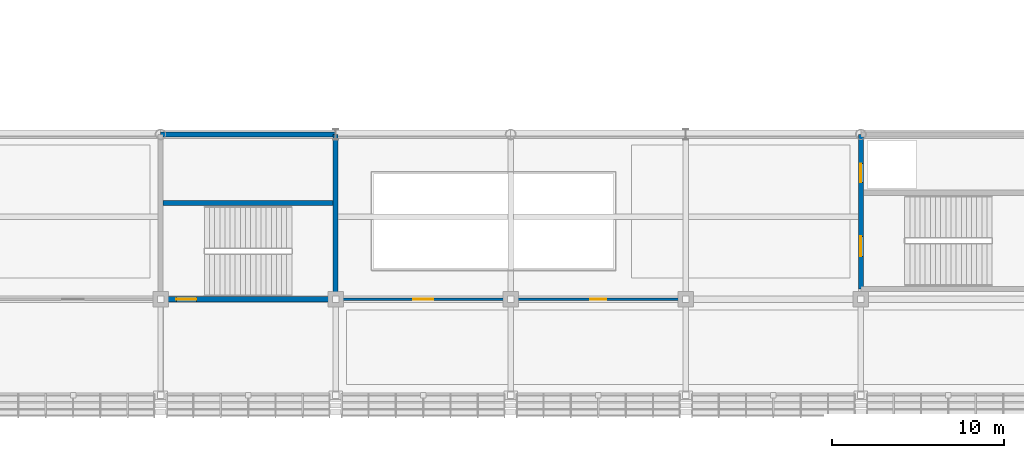
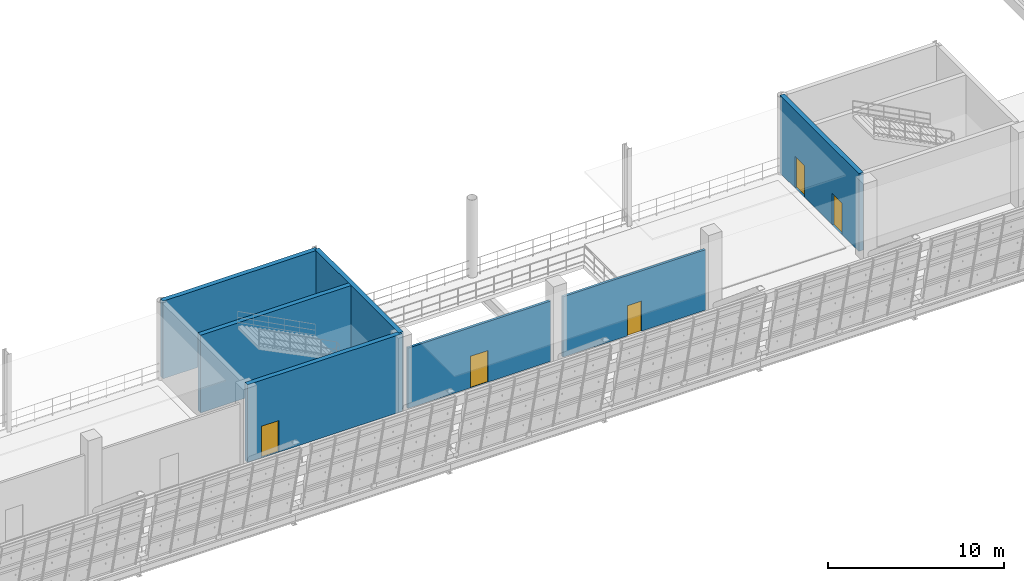
# One storey, part 129 of 175: 7 walls, 5 doors, 5 openings.
"""IFC4 building model written with IfcOpenShell, lengths in metres."""

from ifc_helpers import new_model, si_unit, direction, frame, frame_2d, origin, place, context, subcontext, project, spatial, rectangle, extrude, material, layer, layer_set, type_object, element, fill, save


model = new_model("IFC4")

# Units and contexts
model_context = context("Model", 3, precision=1e-05, world=origin(), true_north=direction((0.0, 1.0)))
body_context = subcontext(model_context, "Body", "Model", "MODEL_VIEW")
ifc_project = project(units=[si_unit("LENGTHUNIT", "METRE"), si_unit("AREAUNIT", "SQUARE_METRE"), si_unit("VOLUMEUNIT", "CUBIC_METRE"), si_unit("PLANEANGLEUNIT", "RADIAN"), si_unit("MASSUNIT", "GRAM", prefix="KILO")], contexts=[model_context])

# Site, building, storey
site_placement = place(None, origin())
site = spatial("IfcSite", under=ifc_project, at=site_placement, CompositionType="ELEMENT")
building_placement = place(site_placement, origin())
building = spatial("IfcBuilding", under=site, at=building_placement, Name="Brelvane Convention Centre", CompositionType="ELEMENT")
storey_placement = place(building_placement, frame((0.0, 0.0, 5.39990234375)))
storey = spatial("IfcBuildingStorey", under=building, at=storey_placement, Name="L01", CompositionType="ELEMENT", Elevation=5.39990234375)

# Wall, opening, door
ifc_material_1 = material(Name="Fire-Rated Acoustic Gypsum Partition Board Grade A")
ifc_layer_1 = layer(ifc_material_1, 0.155029296875)
ifc_layer_set_1 = layer_set([ifc_layer_1], Name="Fire-Rated Acoustic Gypsum Partition Board Grade A")
wall_type_1 = type_object("IfcWallType", Name="Interior Wall IW-AC-155", PredefinedType="PARTITIONING", material=ifc_layer_set_1)
wall_1_placement = place(storey_placement, frame((102.39990234375, 19.199951171875, 0.0), z_axis=(0.0, 0.0, 1.0), x_axis=(1.0, 0.0, 0.0)))
wall_1 = element("IfcWall", 1, at=wall_1_placement, inside=storey, type_object=wall_type_1, Name="Interior Partition L01-ORG3", PredefinedType="PARTITIONING", context=body_context, shape_type="SweptSolid", body=[
    extrude(rectangle(XDim=9.400146484375, YDim=0.155029296875, at=frame_2d((4.7001953125, 0.0))), origin(), (0.0, 0.0, 1.0), 4.2001953125),
])
opening_1_placement = place(wall_1_placement, frame((4.239990234375, 0.0, 0.0)))
opening_1 = element("IfcOpeningElement", 2, at=opening_1_placement, cuts=wall_1, Name="Opening DR-IN-03L", PredefinedType="OPENING", context=body_context, shape_type="SweptSolid", body=[
    extrude(rectangle(XDim=0.919921875, YDim=2.10009765625, at=frame_2d((0.4599609375, 1.050048828125))), frame((0.0, 0.08740234375, 0.0), z_axis=(0.0, -1.0, 0.0), x_axis=(1.0, 0.0, 0.0)), (0.0, 0.0, 1.0), 0.175048828125),
])
ifc_material_2 = material(Name="Solid-Core Fire-Rated Hardwood Leaf Grade 1", Category="wood")
door_type_1 = type_object("IfcDoorType", Name="Interior Door DR-IN-03L", OperationType="NOTDEFINED", PredefinedType="DOOR", material=ifc_material_2)
door_1_placement = place(opening_1_placement, origin())
door_1 = element("IfcDoor", 3, at=door_1_placement, inside=storey, type_object=door_type_1, Name="Interior Door L01-ORG3 (DR-IN-03L)", OperationType="SINGLE_SWING_LEFT", OverallHeight=2.10009765625, OverallWidth=0.919921875, PredefinedType="DOOR", context=body_context, shape_type="SweptSolid", body=[
    extrude(rectangle(XDim=0.919921875, YDim=2.10009765625, at=frame_2d((0.4599609375, 1.050048828125))), frame((0.0, 0.02490234375, 0.0), z_axis=(0.0, -1.0, 0.0), x_axis=(1.0, 0.0, 0.0)), (0.0, 0.0, 1.0), 0.050048828125),
])
fill(opening_1, door_1)

ifc_material_3 = material(Name="Fire-Rated Acoustic Gypsum Partition Board Grade A")
ifc_layer_2 = layer(ifc_material_3, 0.1650390625)
ifc_layer_set_2 = layer_set([ifc_layer_2], Name="Fire-Rated Acoustic Gypsum Partition Board Grade A")
wall_type_2 = type_object("IfcWallType", Name="Interior Wall IW-AC-165", PredefinedType="PARTITIONING", material=ifc_layer_set_2)
wall_2_placement = place(storey_placement, frame((92.199951171875, 19.199951171875, 0.0), z_axis=(0.0, 0.0, 1.0), x_axis=(1.0, 0.0, 0.0)))
wall_2 = element("IfcWall", 4, at=wall_2_placement, inside=storey, type_object=wall_type_2, Name="Interior Partition L01-ORG2", PredefinedType="PARTITIONING", context=body_context, shape_type="SweptSolid", body=[
    extrude(rectangle(XDim=9.400146484375, YDim=0.1650390625, at=frame_2d((4.7001953125, 0.0))), origin(), (0.0, 0.0, 1.0), 4.2001953125),
])
opening_2_placement = place(wall_2_placement, frame((4.125, 0.0, 0.0)))
opening_2 = element("IfcOpeningElement", 5, at=opening_2_placement, cuts=wall_2, Name="Opening DR-IN-02R", PredefinedType="OPENING", context=body_context, shape_type="SweptSolid", body=[
    extrude(rectangle(XDim=1.14990234375, YDim=2.199951171875, at=frame_2d((0.574951171875, 1.10009765625))), frame((0.0, 0.092529296875, 0.0), z_axis=(0.0, -1.0, 0.0), x_axis=(1.0, 0.0, 0.0)), (0.0, 0.0, 1.0), 0.18505859375),
])
ifc_material_4 = material(Name="Solid-Core Fire-Rated Hardwood Leaf Grade 1", Category="wood")
door_type_2 = type_object("IfcDoorType", Name="Interior Door DR-IN-02R", OperationType="NOTDEFINED", PredefinedType="DOOR", material=ifc_material_4)
door_2_placement = place(opening_2_placement, origin())
door_2 = element("IfcDoor", 6, at=door_2_placement, inside=storey, type_object=door_type_2, Name="Interior Door L01-ORG2 (DR-IN-02R)", OperationType="SINGLE_SWING_RIGHT", OverallHeight=2.199951171875, OverallWidth=1.14990234375, PredefinedType="DOOR", context=body_context, shape_type="SweptSolid", body=[
    extrude(rectangle(XDim=1.14990234375, YDim=2.199951171875, at=frame_2d((0.574951171875, 1.10009765625))), frame((0.0, 0.02490234375, 0.0), z_axis=(0.0, -1.0, 0.0), x_axis=(1.0, 0.0, 0.0)), (0.0, 0.0, 1.0), 0.050048828125),
])
fill(opening_2, door_2)

# Wall, openings, doors
ifc_material_5 = material(Name="Concrete M50", Category="concrete")
ifc_layer_3 = layer(ifc_material_5, 0.300048828125)
ifc_layer_set_3 = layer_set([ifc_layer_3], Name="Concrete M50")
wall_type_3 = type_object("IfcWallType", Name="Structural Wall WL-CORE-300", PredefinedType="SHEAR", material=ifc_layer_set_3)
wall_3_placement = place(storey_placement, frame((122.39990234375, 19.800048828125, 0.0), z_axis=(0.0, 0.0, 1.0), x_axis=(0.0, 1.0, 0.0)))
wall_3 = element("IfcWall", 7, at=wall_3_placement, inside=storey, type_object=wall_type_3, Name="Core C2 Shear Wall W (L01)", PredefinedType="SHEAR", context=body_context, shape_type="SweptSolid", body=[
    extrude(rectangle(XDim=9.0, YDim=0.300048828125, at=frame_2d((4.5, 0.0))), origin(), (0.0, 0.0, 1.0), 5.400146484375),
])
opening_3_placement = place(wall_3_placement, frame((1.89990234375, 0.0, 0.0)))
opening_3 = element("IfcOpeningElement", 8, at=opening_3_placement, cuts=wall_3, Name="Opening DR-IN-04L", PredefinedType="OPENING", context=body_context, shape_type="SweptSolid", body=[
    extrude(rectangle(XDim=1.159912109375, YDim=2.199951171875, at=frame_2d((0.580078125, 1.10009765625))), frame((0.0, 0.159912109375, 0.0), z_axis=(0.0, -1.0, 0.0), x_axis=(1.0, 0.0, 0.0)), (0.0, 0.0, 1.0), 0.320068359375),
])
opening_4_placement = place(wall_3_placement, frame((6.199951171875, 0.0, 0.0)))
opening_4 = element("IfcOpeningElement", 9, at=opening_4_placement, cuts=wall_3, Name="Opening LD-02", PredefinedType="OPENING", context=body_context, shape_type="SweptSolid", body=[
    extrude(rectangle(XDim=1.10009765625, YDim=2.199951171875, at=frame_2d((0.550048828125, 1.10009765625))), frame((0.0, 0.159912109375, 0.0), z_axis=(0.0, -1.0, 0.0), x_axis=(1.0, 0.0, 0.0)), (0.0, 0.0, 1.0), 0.320068359375),
])
ifc_material_6 = material(Name="Galvanised Hollow-Metal Fire Door Steel E250", Category="steel")
door_type_3 = type_object("IfcDoorType", Name="Interior Door DR-IN-04L", OperationType="NOTDEFINED", PredefinedType="DOOR", material=ifc_material_6)
door_3_placement = place(opening_3_placement, origin())
door_3 = element("IfcDoor", 10, at=door_3_placement, inside=storey, type_object=door_type_3, Name="Stair ST-02 Door (L01)", OperationType="SINGLE_SWING_LEFT", OverallHeight=2.199951171875, OverallWidth=1.159912109375, PredefinedType="DOOR", context=body_context, shape_type="SweptSolid", body=[
    extrude(rectangle(XDim=1.159912109375, YDim=2.199951171875, at=frame_2d((0.580078125, 1.10009765625))), frame((0.0, 0.02490234375, 0.0), z_axis=(0.0, -1.0, 0.0), x_axis=(1.0, 0.0, 0.0)), (0.0, 0.0, 1.0), 0.050048828125),
])
fill(opening_3, door_3)
ifc_material_7 = material(Name="Galvanised Hollow-Metal Fire Door Steel E250", Category="steel")
door_type_4 = type_object("IfcDoorType", Name="Interior Door LD-02", OperationType="NOTDEFINED", PredefinedType="DOOR", material=ifc_material_7)
door_4_placement = place(opening_4_placement, origin())
door_4 = element("IfcDoor", 11, at=door_4_placement, inside=storey, type_object=door_type_4, Name="Lift LP-01 Landing Door (L01)", OperationType="SLIDING_TO_RIGHT", OverallHeight=2.199951171875, OverallWidth=1.10009765625, PredefinedType="DOOR", context=body_context, shape_type="SweptSolid", body=[
    extrude(rectangle(XDim=1.10009765625, YDim=2.199951171875, at=frame_2d((0.550048828125, 1.10009765625))), frame((0.0, 0.02490234375, 0.0), z_axis=(0.0, -1.0, 0.0), x_axis=(1.0, 0.0, 0.0)), (0.0, 0.0, 1.0), 0.050048828125),
])
fill(opening_4, door_4)

# Wall, opening, door
wall_4_placement = place(storey_placement, frame((81.60009765625, 19.199951171875, 0.0), z_axis=(0.0, 0.0, 1.0), x_axis=(1.0, 0.0, 0.0)))
wall_4 = element("IfcWall", 12, at=wall_4_placement, inside=storey, type_object=wall_type_3, Name="Stair Core ST-10 Wall S (L01)", PredefinedType="SHEAR", context=body_context, shape_type="SweptSolid", body=[
    extrude(rectangle(XDim=10.199951171875, YDim=0.300048828125, at=frame_2d((5.10009765625, 0.0))), origin(), (0.0, 0.0, 1.0), 5.400146484375),
])
opening_5_placement = place(wall_4_placement, frame((0.919921875, 0.0, 0.0)))
opening_5 = element("IfcOpeningElement", 13, at=opening_5_placement, cuts=wall_4, Name="Opening DR-IN-04L", PredefinedType="OPENING", context=body_context, shape_type="SweptSolid", body=[
    extrude(rectangle(XDim=1.159912109375, YDim=2.199951171875, at=frame_2d((0.580078125, 1.10009765625))), frame((0.0, 0.159912109375, 0.0), z_axis=(0.0, -1.0, 0.0), x_axis=(1.0, 0.0, 0.0)), (0.0, 0.0, 1.0), 0.320068359375),
])
door_5_placement = place(opening_5_placement, origin())
door_5 = element("IfcDoor", 14, at=door_5_placement, inside=storey, type_object=door_type_3, Name="Stair ST-10 Entry Door (L01)", OperationType="SINGLE_SWING_LEFT", OverallHeight=2.199951171875, OverallWidth=1.159912109375, PredefinedType="DOOR", context=body_context, shape_type="SweptSolid", body=[
    extrude(rectangle(XDim=1.159912109375, YDim=2.199951171875, at=frame_2d((0.580078125, 1.10009765625))), frame((0.0, 0.02490234375, 0.0), z_axis=(0.0, -1.0, 0.0), x_axis=(1.0, 0.0, 0.0)), (0.0, 0.0, 1.0), 0.050048828125),
])
fill(opening_5, door_5)

# Walls
wall_5_placement = place(storey_placement, frame((81.60009765625, 28.800048828125, 0.0), z_axis=(0.0, 0.0, 1.0), x_axis=(1.0, 0.0, 0.0)))
element("IfcWall", 15, at=wall_5_placement, inside=storey, type_object=wall_type_3, Name="Stair Core ST-10 Wall N (L01)", PredefinedType="SHEAR", context=body_context, shape_type="SweptSolid", body=[
    extrude(rectangle(XDim=10.199951171875, YDim=0.300048828125, at=frame_2d((5.10009765625, 0.0))), origin(), (0.0, 0.0, 1.0), 5.400146484375),
])
wall_6_placement = place(storey_placement, frame((91.800048828125, 19.199951171875, 0.0), z_axis=(0.0, 0.0, 1.0), x_axis=(0.0, 1.0, 0.0)))
element("IfcWall", 16, at=wall_6_placement, inside=storey, type_object=wall_type_3, Name="Stair Core ST-10 Wall E (L01)", PredefinedType="SHEAR", context=body_context, shape_type="SweptSolid", body=[
    extrude(rectangle(XDim=9.60009765625, YDim=0.300048828125, at=frame_2d((4.800048828125, 0.0))), origin(), (0.0, 0.0, 1.0), 5.400146484375),
])
wall_7_placement = place(storey_placement, frame((81.75, 24.800048828125, 0.0), z_axis=(0.0, 0.0, 1.0), x_axis=(1.0, 0.0, 0.0)))
element("IfcWall", 17, at=wall_7_placement, inside=storey, type_object=wall_type_3, Name="Stair Core ST-10 Well Wall (L01)", PredefinedType="SHEAR", context=body_context, shape_type="SweptSolid", body=[
    extrude(rectangle(XDim=9.89990234375, YDim=0.300048828125, at=frame_2d((4.949951171875, 0.0))), origin(), (0.0, 0.0, 1.0), 5.400146484375),
])

save(model, "model.ifc")
